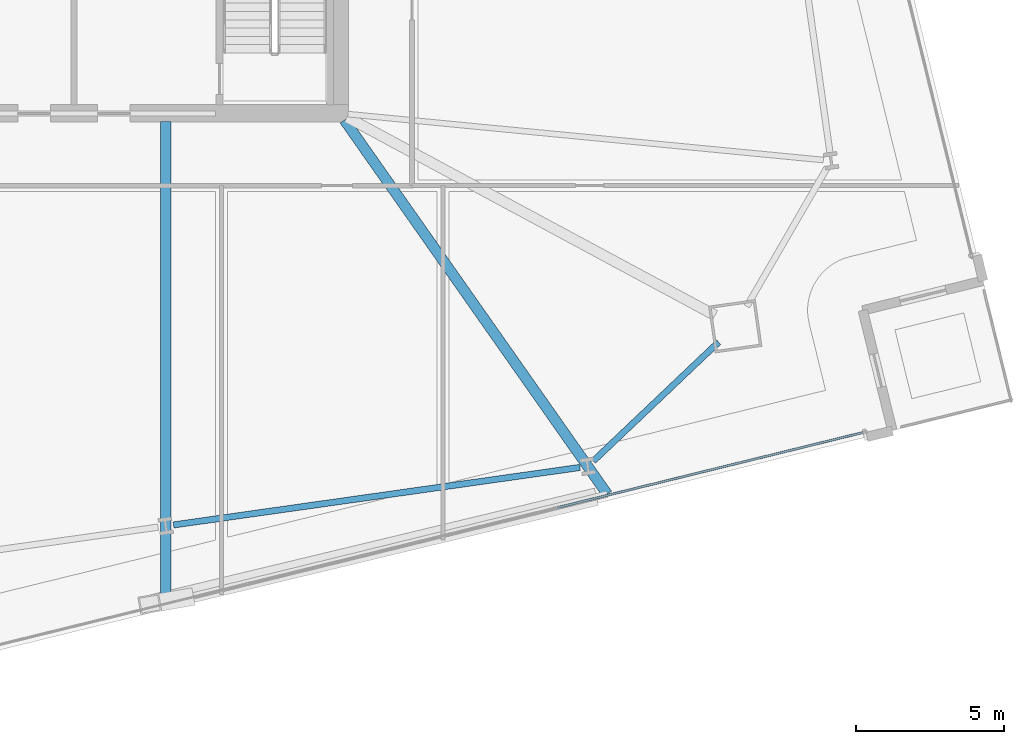
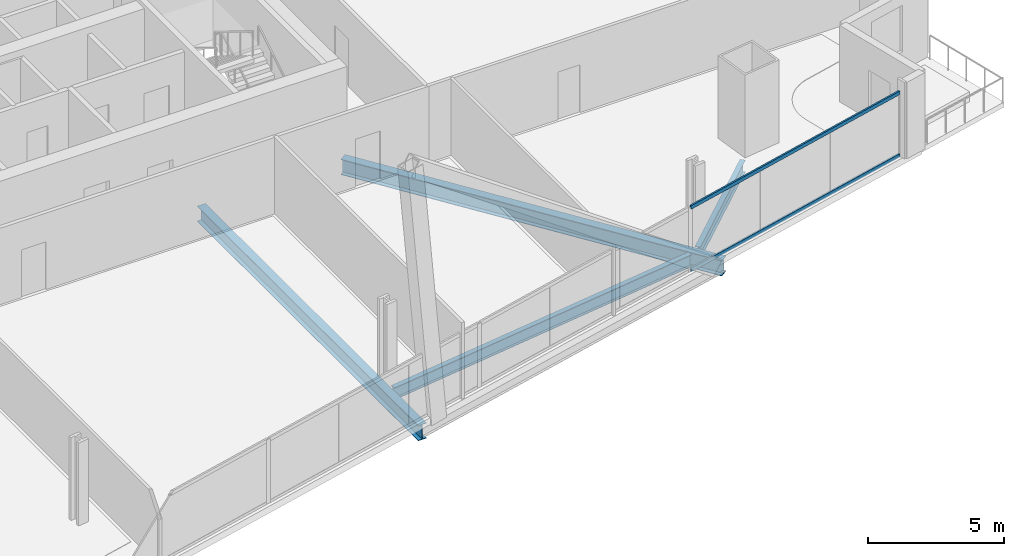
# One storey, part 8 of 32: 4 beams, 2 members, 1 element without a shape of its own.
"""IFC4 building model written with IfcOpenShell, lengths in metres."""

from ifc_helpers import new_model, si_unit, direction, frame, origin, origin_2d, place, context, subcontext, project, spatial, hollow_rectangle, i_section, extrude, material, material_profile, profile_set, type_object, element, aggregate, save


model = new_model("IFC4")

# Units and contexts
model_context = context("Model", 3, precision=1e-05, world=origin(), true_north=direction((0.0, 1.0)))
body_context = subcontext(model_context, "Body", "Model", "MODEL_VIEW")
ifc_project = project(units=[si_unit("LENGTHUNIT", "METRE"), si_unit("AREAUNIT", "SQUARE_METRE"), si_unit("VOLUMEUNIT", "CUBIC_METRE"), si_unit("PLANEANGLEUNIT", "RADIAN"), si_unit("MASSUNIT", "GRAM", prefix="KILO")], contexts=[model_context])

# Site, building, storey
site_placement = place(None, origin())
site = spatial("IfcSite", under=ifc_project, at=site_placement, CompositionType="ELEMENT")
building_placement = place(site_placement, origin())
building = spatial("IfcBuilding", under=site, at=building_placement, Name="Haldenkirk Collegiate Tower", CompositionType="ELEMENT")
storey_placement = place(building_placement, frame((0.0, 0.0, 73.949951171875)))
storey = spatial("IfcBuildingStorey", under=building, at=storey_placement, Name="L17", CompositionType="ELEMENT", Elevation=73.949951171875)

# Beams
ifc_material_1 = material(Name="Steel ASTM A992 Grade 50", Category="steel")
ifc_material_profile_1 = material_profile(ifc_material_1, i_section(OverallWidth=0.35498046875, OverallDepth=0.696044921875, WebThickness=0.015380859375, FlangeThickness=0.02490234375, at=origin_2d()), Name="W27X146")
ifc_profile_set_1 = profile_set([ifc_material_profile_1], Name="Steel ASTM A992 Grade 50")
beam_type_1 = type_object("IfcBeamType", Name="BM-GIRDER-W27X146", PredefinedType="BEAM", material=ifc_profile_set_1)
beam_1_placement = place(storey_placement, frame((39.10888671875, 1.42724609375, -0.657958984375), z_axis=(0.0, 1.0, 0.0), x_axis=(-1.0, 0.0, 0.0)))
element("IfcBeam", 1, at=beam_1_placement, inside=storey, type_object=beam_type_1, Name="L17 primary floor girder 06", PredefinedType="BEAM", context=body_context, shape_type="SweptSolid", body=[
    extrude(i_section(OverallWidth=0.35498046875, OverallDepth=0.696044921875, WebThickness=0.015380859375, FlangeThickness=0.02490234375, at=origin_2d()), origin(), (0.0, 0.0, 1.0), 16.292724609375),
])
beam_2_placement = place(storey_placement, frame((54.06298828125, 5.100341796875, -0.657958984375), z_axis=(-0.574876198151, 0.818240402815, 0.0), x_axis=(-0.818240402815, -0.574876198151, 0.0)))
element("IfcBeam", 2, at=beam_2_placement, inside=storey, type_object=beam_type_1, Name="L17 primary floor girder 07", PredefinedType="BEAM", context=body_context, shape_type="SweptSolid", body=[
    extrude(i_section(OverallWidth=0.35498046875, OverallDepth=0.696044921875, WebThickness=0.015380859375, FlangeThickness=0.02490234375, at=origin_2d()), origin(), (0.0, 0.0, 1.0), 15.4853515625),
])
ifc_material_profile_2 = material_profile(ifc_material_1, i_section(OverallWidth=0.2119140625, OverallDepth=0.5439453125, WebThickness=0.01318359375, FlangeThickness=0.021240234375, at=origin_2d()), Name="W21X83")
ifc_profile_set_2 = profile_set([ifc_material_profile_2], Name="Steel ASTM A992 Grade 50")
beam_type_2 = type_object("IfcBeamType", Name="BM-SPANDREL-W21X83", PredefinedType="SPANDREL", material=ifc_profile_set_2)
beam_3_placement = place(storey_placement, frame((39.37060546875, 4.055908203125, -0.58203125), z_axis=(0.990146197746, 0.14003752029, 0.0), x_axis=(-0.14003752029, 0.990146197746, 0.0)))
element("IfcBeam", 3, at=beam_3_placement, inside=storey, type_object=beam_type_2, Name="L17 perimeter spandrel beam 03", PredefinedType="SPANDREL", context=body_context, shape_type="SweptSolid", body=[
    extrude(i_section(OverallWidth=0.2119140625, OverallDepth=0.5439453125, WebThickness=0.01318359375, FlangeThickness=0.021240234375, at=origin_2d()), origin(), (0.0, 0.0, 1.0), 13.906982421875),
])
beam_4_placement = place(storey_placement, frame((53.594482421875, 6.222412109375, -0.58203125), z_axis=(0.725113023209, 0.688629874151, 0.0), x_axis=(-0.688629874151, 0.725113023209, 0.0)))
element("IfcBeam", 4, at=beam_4_placement, inside=storey, type_object=beam_type_2, Name="L17 perimeter spandrel beam 04", PredefinedType="SPANDREL", context=body_context, shape_type="SweptSolid", body=[
    extrude(i_section(OverallWidth=0.2119140625, OverallDepth=0.5439453125, WebThickness=0.01318359375, FlangeThickness=0.021240234375, at=origin_2d()), origin(), (0.0, 0.0, 1.0), 5.8486328125),
])

# Curtain wall, members
ifc_material_2 = material(Name="Anodised architectural bronze aluminium", Category="aluminium")
curtain_wall_type = type_object("IfcCurtainWallType", Name="CW-SYS2-CONCAVE", PredefinedType="USERDEFINED", material=ifc_material_2)
curtain_wall_placement = place(storey_placement, origin())
curtain_wall = element("IfcCurtainWall", 5, at=curtain_wall_placement, inside=storey, type_object=curtain_wall_type, Name="L17 South concave recessed bronze-anodised curtain wall", ObjectType="UNITISED CURTAIN WALL", PredefinedType="USERDEFINED")
ifc_material_profile_3 = material_profile(ifc_material_2, hollow_rectangle(XDim=0.074951171875, YDim=0.159912109375, WallThickness=0.0048828125, at=origin_2d()), Name="CW-TRN-02")
ifc_profile_set_3 = profile_set([ifc_material_profile_3], Name="Anodised architectural bronze aluminium")
member_type = type_object("IfcMemberType", Name="CW-TRN-02", PredefinedType="USERDEFINED", material=ifc_profile_set_3)
member_1_placement = place(storey_placement, frame((62.73388671875, 7.18896484375, 0.03759765625), z_axis=(-0.971132327906, -0.238541404572, 0.0), x_axis=(0.238541404572, -0.971132327906, 0.0)))
member_1 = element("IfcMember", 6, at=member_1_placement, type_object=member_type, Name="CW-02 transom 1.1", ObjectType="TRANSOM", PredefinedType="USERDEFINED", context=body_context, shape_type="SweptSolid", body=[
    extrude(hollow_rectangle(XDim=0.074951171875, YDim=0.159912109375, WallThickness=0.0048828125, at=origin_2d()), origin(), (0.0, 0.0, 1.0), 10.66259765625),
])
member_2_placement = place(storey_placement, frame((62.73388671875, 7.18896484375, 2.853515625), z_axis=(-0.971132327906, -0.238541404572, 0.0), x_axis=(0.238541404572, -0.971132327906, 0.0)))
member_2 = element("IfcMember", 7, at=member_2_placement, type_object=member_type, Name="CW-02 transom 1.2", ObjectType="TRANSOM", PredefinedType="USERDEFINED", context=body_context, shape_type="SweptSolid", body=[
    extrude(hollow_rectangle(XDim=0.074951171875, YDim=0.159912109375, WallThickness=0.0048828125, at=origin_2d()), origin(), (0.0, 0.0, 1.0), 10.66259765625),
])
aggregate(curtain_wall, [member_1, member_2])

save(model, "model.ifc")
